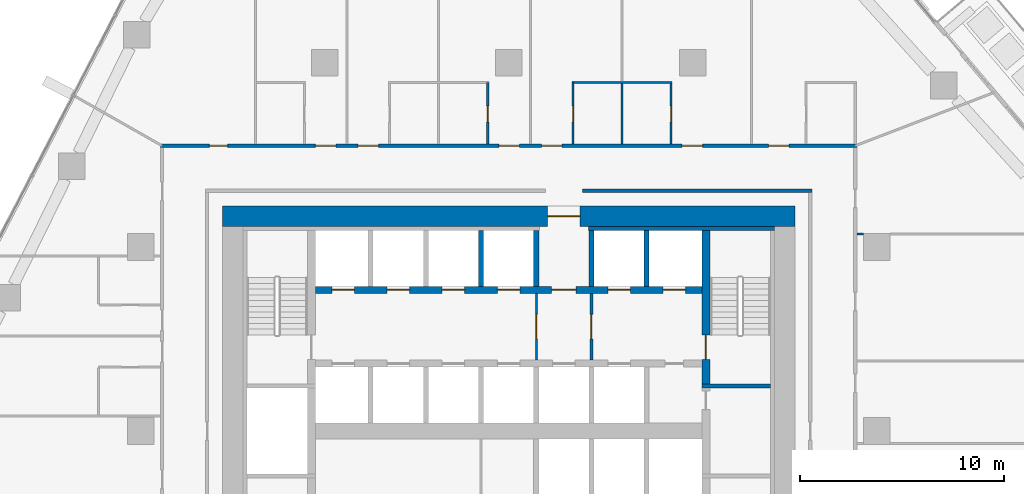
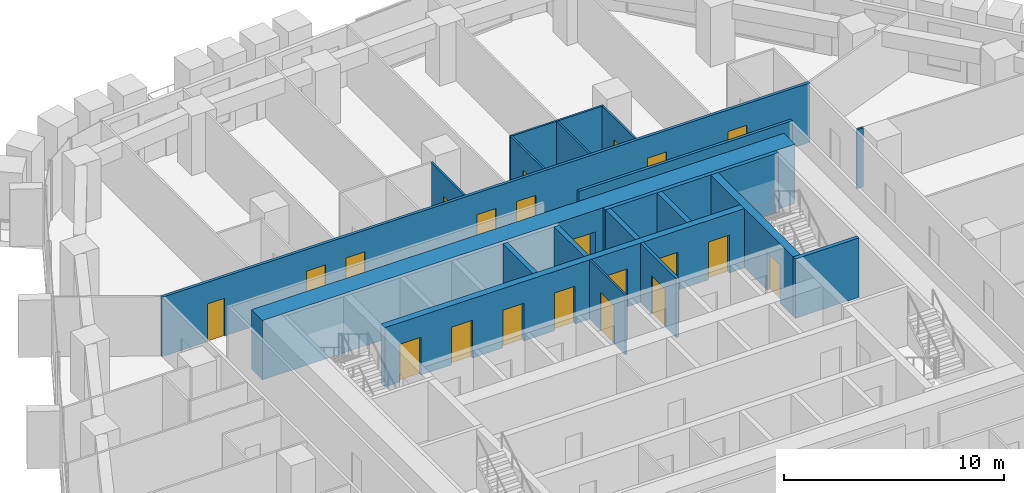
# One storey, part 16 of 24: 21 doors, 19 walls, 21 openings.
"""IFC4 building model written with IfcOpenShell, lengths in metres."""

import ifcopenshell
import ifcopenshell.guid

model = None  # the IFC model being written
_history = None  # IfcOwnerHistory: only IFC2X3 demands one
_inside = {}  # id of a spatial element -> (the spatial element, [elements in it])
_under = {}  # id of a project, library or spatial element -> (it, [spatial elements below it])
_declared = {}  # id of a project -> (the project, [libraries it declares])
_typed = {}  # id of a type object -> (the type object, [elements of that type])
_made_of = {}  # id of a material, layer set ... -> (it, [elements and type objects made of it])


def new_model(schema):
    """Start an empty IFC model of exactly this schema.

    Asked for "IFC4X3", IfcOpenShell would pick the latest addendum, in which some entities
    have other attributes; the version numbers below select the first issue.
    IFC2X3 requires an IfcOwnerHistory on every rooted entity: one is made here for all.
    """
    global model, _history
    if schema == "IFC4X3":
        model = ifcopenshell.file(schema_version=(4, 3, 0, 0))
    else:
        model = ifcopenshell.file(schema=schema)
    _inside.clear()
    _under.clear()
    _declared.clear()
    _typed.clear()
    _made_of.clear()
    _history = None
    if model.schema == "IFC2X3":
        org = make("IfcOrganization", Name="unknown")
        user = make(
            "IfcPersonAndOrganization",
            ThePerson=make("IfcPerson", FamilyName="unknown"),
            TheOrganization=org,
        )
        app = make(
            "IfcApplication",
            ApplicationDeveloper=org,
            Version="unknown",
            ApplicationFullName="unknown",
            ApplicationIdentifier="unknown",
        )
        _history = make(
            "IfcOwnerHistory",
            OwningUser=user,
            OwningApplication=app,
            ChangeAction="ADDED",
            CreationDate=0,
        )
    return model


def make(cls, **values):
    """One entity of the class cls with the attributes given. An attribute that is None is left unset."""
    return model.create_entity(
        cls, **{name: value for name, value in values.items() if value is not None}
    )


def rooted(cls, **values):
    """An entity with a GlobalId (a new one), such as an element, a storey or a relation."""
    return make(cls, GlobalId=ifcopenshell.guid.new(), OwnerHistory=_history, **values)


def si_unit(unit_type, name, prefix=None):
    """IfcSIUnit, for example si_unit("LENGTHUNIT", "METRE", prefix="MILLI")."""
    return make("IfcSIUnit", UnitType=unit_type, Prefix=prefix, Name=name)


def assignment(units):
    """IfcUnitAssignment: the units of a project."""
    return None if units is None else make("IfcUnitAssignment", Units=units)


def point(xyz):
    """IfcCartesianPoint."""
    return None if xyz is None else make("IfcCartesianPoint", Coordinates=xyz)


def direction(xyz):
    """IfcDirection."""
    return None if xyz is None else make("IfcDirection", DirectionRatios=xyz)


def frame(location, z_axis=None, x_axis=None):
    """IfcAxis2Placement3D, a coordinate frame: its origin and axes. An axis left out is left unset."""
    return make(
        "IfcAxis2Placement3D",
        Location=point(location),
        Axis=direction(z_axis),
        RefDirection=direction(x_axis),
    )


def frame_2d(location, x_axis=None):
    """IfcAxis2Placement2D, a coordinate frame in the plane: its origin and x axis."""
    return make(
        "IfcAxis2Placement2D", Location=point(location), RefDirection=direction(x_axis)
    )


def origin():
    """The frame at (0, 0, 0) with its axes left unset."""
    return frame((0.0, 0.0, 0.0))


def place(relative_to, where):
    """IfcLocalPlacement: puts the frame where relative to a parent placement (None: the world)."""
    return make(
        "IfcLocalPlacement", PlacementRelTo=relative_to, RelativePlacement=where
    )


def context(
    kind, dimensions, precision=None, world=None, true_north=None, identifier=None
):
    """IfcGeometricRepresentationContext, for example the 3D "Model" context."""
    return make(
        "IfcGeometricRepresentationContext",
        ContextIdentifier=identifier,
        ContextType=kind,
        CoordinateSpaceDimension=dimensions,
        Precision=precision,
        WorldCoordinateSystem=world,
        TrueNorth=true_north,
    )


def subcontext(parent, identifier, kind, view, scale=None):
    """IfcGeometricRepresentationSubContext, for example "Body" below "Model"."""
    return make(
        "IfcGeometricRepresentationSubContext",
        ContextIdentifier=identifier,
        ContextType=kind,
        ParentContext=parent,
        TargetScale=scale,
        TargetView=view,
    )


def project(units=None, contexts=None):
    """IfcProject with its units and contexts."""
    return rooted(
        "IfcProject",
        Name="project",
        RepresentationContexts=contexts,
        UnitsInContext=assignment(units),
    )


def spatial(cls, under=None, at=None, **own):
    """A site, building, storey or space (cls), placed at a placement, below another one or the project."""
    s = rooted(cls, ObjectPlacement=at, **own)
    if under is not None:
        _under.setdefault(under.id(), (under, []))[1].append(s)
    return s


def profile(cls, at=None, kind="AREA", **sizes):
    """A parametric profile (cls). Its sizes go by their IFC names, for example OverallWidth=200.0."""
    return make(cls, ProfileType=kind, Position=at, **sizes)


def rectangle(**sizes):
    """IfcRectangleProfileDef."""
    return profile("IfcRectangleProfileDef", **sizes)


def extrude(swept, where, along, depth):
    """IfcExtrudedAreaSolid: the profile swept, set in the frame where, extruded along a direction by depth."""
    return make(
        "IfcExtrudedAreaSolid",
        SweptArea=swept,
        Position=where,
        ExtrudedDirection=direction(along),
        Depth=depth,
    )


def shape(context_of_items, identifier, shape_type, items):
    """IfcShapeRepresentation: the items that make up one representation, for example the "Body"."""
    return make(
        "IfcShapeRepresentation",
        ContextOfItems=context_of_items,
        RepresentationIdentifier=identifier,
        RepresentationType=shape_type,
        Items=items,
    )


def material(Name=None, Category=None):
    """IfcMaterial."""
    return make("IfcMaterial", Name=Name, Category=Category)


def layer(
    of_material, thickness, ventilated=None, Name=None, Category=None, Priority=None
):
    """IfcMaterialLayer: one layer of a wall or slab, of a material (None: an air gap)."""
    return make(
        "IfcMaterialLayer",
        Material=of_material,
        LayerThickness=thickness,
        IsVentilated=ventilated,
        Name=Name,
        Category=Category,
        Priority=Priority,
    )


def layer_set(layers, Name=None):
    """IfcMaterialLayerSet."""
    return make("IfcMaterialLayerSet", MaterialLayers=layers, LayerSetName=Name)


def made_of(thing, what):
    """Note that an element or type object is made of a material, layer set ...; save() writes the relation."""
    if what is not None:
        _made_of.setdefault(what.id(), (what, []))[1].append(thing)
    return thing


def type_object(cls, material=None, **own):
    """A type object (cls), such as IfcWallType, which elements share."""
    return made_of(rooted(cls, **own), material)


def element(
    cls,
    number,
    at=None,
    inside=None,
    cuts=None,
    type_object=None,
    material=None,
    context=None,
    identifier="Body",
    shape_type=None,
    held_by="IfcProductDefinitionShape",
    body=None,
    shapes=None,
    **own,
):
    """One element of the class cls, such as IfcWall. Its Tag is "e" and its number.

    at: its placement. inside: the storey or other place that contains it. cuts: it is an
    opening in that element (IfcRelVoidsElement). A single representation is given by context,
    identifier, shape_type and body (its items); several are given by shapes. held_by: the class
    of the entity that holds the representations. save() writes the other relations.
    """
    e = rooted(cls, Tag="e%d" % number, ObjectPlacement=at, **own)
    if body is not None:
        shapes = [shape(context, identifier, shape_type, body)]
    if shapes is not None:
        e.Representation = make(held_by, Representations=shapes)
    if inside is not None:
        _inside.setdefault(inside.id(), (inside, []))[1].append(e)
    if cuts is not None:
        rooted(
            "IfcRelVoidsElement", RelatingBuildingElement=cuts, RelatedOpeningElement=e
        )
    if type_object is not None:
        _typed.setdefault(type_object.id(), (type_object, []))[1].append(e)
    return made_of(e, material)


def fill(opening, filler):
    """IfcRelFillsElement: the door or window that sits in an opening."""
    return rooted(
        "IfcRelFillsElement",
        RelatingOpeningElement=opening,
        RelatedBuildingElement=filler,
    )


def aggregate(whole, parts):
    """IfcRelAggregates: a whole, such as a stair, and the parts it consists of."""
    return rooted("IfcRelAggregates", RelatingObject=whole, RelatedObjects=parts)


def save(model, path):
    """Write the relations noted so far, then the file.

    IfcRelAggregates (storeys below a building ...), IfcRelContainedInSpatialStructure (elements
    in a storey), IfcRelDefinesByType, IfcRelAssociatesMaterial and IfcRelDeclares: one each for
    every whole, place, type object, material and project.
    """
    for whole, parts in _under.values():
        aggregate(whole, parts)
    for where, things in _inside.values():
        rooted(
            "IfcRelContainedInSpatialStructure",
            RelatedElements=things,
            RelatingStructure=where,
        )
    for kind, things in _typed.values():
        rooted("IfcRelDefinesByType", RelatedObjects=things, RelatingType=kind)
    for what, things in _made_of.values():
        rooted("IfcRelAssociatesMaterial", RelatedObjects=things, RelatingMaterial=what)
    for by, libraries in _declared.values():
        rooted("IfcRelDeclares", RelatingContext=by, RelatedDefinitions=libraries)
    model.write(path)


model = new_model("IFC4")

# Units and contexts
model_context = context("Model", 3, precision=1e-05, world=origin(), true_north=direction((0.0, 1.0)))
body_context = subcontext(model_context, "Body", "Model", "MODEL_VIEW")
ifc_project = project(units=[si_unit("LENGTHUNIT", "METRE"), si_unit("AREAUNIT", "SQUARE_METRE"), si_unit("VOLUMEUNIT", "CUBIC_METRE"), si_unit("PLANEANGLEUNIT", "RADIAN"), si_unit("MASSUNIT", "GRAM", prefix="KILO")], contexts=[model_context])

# Site, building, storey
site_placement = place(None, origin())
site = spatial("IfcSite", under=ifc_project, at=site_placement, CompositionType="ELEMENT")
building_placement = place(site_placement, origin())
building = spatial("IfcBuilding", under=site, at=building_placement, Name="Dongbaek Canopy Tower", CompositionType="ELEMENT")
storey_placement = place(building_placement, frame((0.0, 0.0, 106.300048828125)))
storey = spatial("IfcBuildingStorey", under=building, at=storey_placement, Name="L22", CompositionType="ELEMENT", Elevation=106.300048828125)

# Wall, openings, doors
ifc_material_1 = material(Name="Concrete C60/75", Category="concrete")
ifc_layer_1 = layer(ifc_material_1, 0.35009765625)
ifc_layer_set_1 = layer_set([ifc_layer_1], Name="Core lobby wall 350 Concrete C60/75")
wall_type_1 = type_object("IfcWallType", Name="Core lobby wall 350 Concrete C60/75", PredefinedType="SHEAR", material=ifc_layer_set_1)
wall_1_placement = place(storey_placement, frame((-9.449951171875, 6.89990234375, 0.0), z_axis=(0.0, 0.0, 1.0), x_axis=(1.0, 0.0, 0.0)))
wall_1 = element("IfcWall", 1, at=wall_1_placement, inside=storey, type_object=wall_type_1, Name="Core wall", PredefinedType="SHEAR", context=body_context, shape_type="SweptSolid", body=[
    extrude(rectangle(XDim=18.89990234375, YDim=0.35009765625, at=frame_2d((9.449951171875, 0.0))), origin(), (0.0, 0.0, 1.0), 3.300048828125),
])
opening_1_placement = place(wall_1_placement, frame((0.800048828125, 0.0, 0.0)))
opening_1 = element("IfcOpeningElement", 2, at=opening_1_placement, cuts=wall_1, Name="Opening L22-D042", PredefinedType="OPENING", context=body_context, shape_type="SweptSolid", body=[
    extrude(rectangle(XDim=1.10009765625, YDim=2.10009765625, at=frame_2d((0.550048828125, 1.050048828125))), frame((0.0, 0.18505859375, 0.0), z_axis=(0.0, -1.0, 0.0), x_axis=(1.0, 0.0, 0.0)), (0.0, 0.0, 1.0), 0.3701171875),
])
opening_2_placement = place(wall_1_placement, frame((3.5, 0.0, 0.0)))
opening_2 = element("IfcOpeningElement", 3, at=opening_2_placement, cuts=wall_1, Name="Opening L22-D043", PredefinedType="OPENING", context=body_context, shape_type="SweptSolid", body=[
    extrude(rectangle(XDim=1.10009765625, YDim=2.10009765625, at=frame_2d((0.550048828125, 1.050048828125))), frame((0.0, 0.18505859375, 0.0), z_axis=(0.0, -1.0, 0.0), x_axis=(1.0, 0.0, 0.0)), (0.0, 0.0, 1.0), 0.3701171875),
])
opening_3_placement = place(wall_1_placement, frame((6.199951171875, 0.0, 0.0)))
opening_3 = element("IfcOpeningElement", 4, at=opening_3_placement, cuts=wall_1, Name="Opening L22-D044", PredefinedType="OPENING", context=body_context, shape_type="SweptSolid", body=[
    extrude(rectangle(XDim=1.10009765625, YDim=2.10009765625, at=frame_2d((0.550048828125, 1.050048828125))), frame((0.0, 0.18505859375, 0.0), z_axis=(0.0, -1.0, 0.0), x_axis=(1.0, 0.0, 0.0)), (0.0, 0.0, 1.0), 0.3701171875),
])
opening_4_placement = place(wall_1_placement, frame((8.89990234375, 0.0, 0.0)))
opening_4 = element("IfcOpeningElement", 5, at=opening_4_placement, cuts=wall_1, Name="Opening L22-D045", PredefinedType="OPENING", context=body_context, shape_type="SweptSolid", body=[
    extrude(rectangle(XDim=1.10009765625, YDim=2.10009765625, at=frame_2d((0.550048828125, 1.050048828125))), frame((0.0, 0.18505859375, 0.0), z_axis=(0.0, -1.0, 0.0), x_axis=(1.0, 0.0, 0.0)), (0.0, 0.0, 1.0), 0.3701171875),
])
opening_5_placement = place(wall_1_placement, frame((11.550048828125, 0.0, 0.0)))
opening_5 = element("IfcOpeningElement", 6, at=opening_5_placement, cuts=wall_1, Name="Opening L22-D047", PredefinedType="OPENING", context=body_context, shape_type="SweptSolid", body=[
    extrude(rectangle(XDim=1.199951171875, YDim=2.10009765625, at=frame_2d((0.60009765625, 1.050048828125))), frame((0.0, 0.18505859375, 0.0), z_axis=(0.0, -1.0, 0.0), x_axis=(1.0, 0.0, 0.0)), (0.0, 0.0, 1.0), 0.3701171875),
])
opening_6_placement = place(wall_1_placement, frame((14.300048828125, 0.0, 0.0)))
opening_6 = element("IfcOpeningElement", 7, at=opening_6_placement, cuts=wall_1, Name="Opening L22-D048", PredefinedType="OPENING", context=body_context, shape_type="SweptSolid", body=[
    extrude(rectangle(XDim=1.10009765625, YDim=2.10009765625, at=frame_2d((0.550048828125, 1.050048828125))), frame((0.0, 0.18505859375, 0.0), z_axis=(0.0, -1.0, 0.0), x_axis=(1.0, 0.0, 0.0)), (0.0, 0.0, 1.0), 0.3701171875),
])
opening_7_placement = place(wall_1_placement, frame((17.0, 0.0, 0.0)))
opening_7 = element("IfcOpeningElement", 8, at=opening_7_placement, cuts=wall_1, Name="Opening L22-D049", PredefinedType="OPENING", context=body_context, shape_type="SweptSolid", body=[
    extrude(rectangle(XDim=1.10009765625, YDim=2.10009765625, at=frame_2d((0.550048828125, 1.050048828125))), frame((0.0, 0.18505859375, 0.0), z_axis=(0.0, -1.0, 0.0), x_axis=(1.0, 0.0, 0.0)), (0.0, 0.0, 1.0), 0.3701171875),
])
ifc_material_2 = material(Name="Steel", Category="steel")
door_type_1 = type_object("IfcDoorType", Name="Fire lobby door 1200 x 2100", OperationType="SINGLE_SWING_LEFT", PredefinedType="DOOR", material=ifc_material_2)
door_1_placement = place(opening_5_placement, origin())
door_1 = element("IfcDoor", 9, at=door_1_placement, inside=storey, type_object=door_type_1, Name="Door L22-D047", OperationType="SINGLE_SWING_LEFT", OverallHeight=2.10009765625, OverallWidth=1.199951171875, PredefinedType="DOOR", context=body_context, shape_type="SweptSolid", body=[
    extrude(rectangle(XDim=1.199951171875, YDim=2.10009765625, at=frame_2d((0.60009765625, 1.050048828125))), frame((0.0, 0.02490234375, 0.0), z_axis=(0.0, -1.0, 0.0), x_axis=(1.0, 0.0, 0.0)), (0.0, 0.0, 1.0), 0.050048828125),
])
fill(opening_5, door_1)
ifc_material_3 = material(Name="Stainless steel", Category="steel")
door_type_2 = type_object("IfcDoorType", Name="Lift landing door 1100 x 2100", OperationType="DOUBLE_DOOR_SLIDING", PredefinedType="DOOR", material=ifc_material_3)
door_2_placement = place(opening_1_placement, origin())
door_2 = element("IfcDoor", 10, at=door_2_placement, inside=storey, type_object=door_type_2, Name="Landing door LR1", OperationType="DOUBLE_DOOR_SLIDING", OverallHeight=2.10009765625, OverallWidth=1.10009765625, PredefinedType="DOOR", context=body_context, shape_type="SweptSolid", body=[
    extrude(rectangle(XDim=1.10009765625, YDim=2.10009765625, at=frame_2d((0.550048828125, 1.050048828125))), frame((0.0, 0.02490234375, 0.0), z_axis=(0.0, -1.0, 0.0), x_axis=(1.0, 0.0, 0.0)), (0.0, 0.0, 1.0), 0.050048828125),
])
fill(opening_1, door_2)
door_3_placement = place(opening_2_placement, origin())
door_3 = element("IfcDoor", 11, at=door_3_placement, inside=storey, type_object=door_type_2, Name="Landing door LR2", OperationType="DOUBLE_DOOR_SLIDING", OverallHeight=2.10009765625, OverallWidth=1.10009765625, PredefinedType="DOOR", context=body_context, shape_type="SweptSolid", body=[
    extrude(rectangle(XDim=1.10009765625, YDim=2.10009765625, at=frame_2d((0.550048828125, 1.050048828125))), frame((0.0, 0.02490234375, 0.0), z_axis=(0.0, -1.0, 0.0), x_axis=(1.0, 0.0, 0.0)), (0.0, 0.0, 1.0), 0.050048828125),
])
fill(opening_2, door_3)
door_4_placement = place(opening_3_placement, origin())
door_4 = element("IfcDoor", 12, at=door_4_placement, inside=storey, type_object=door_type_2, Name="Landing door LR3", OperationType="DOUBLE_DOOR_SLIDING", OverallHeight=2.10009765625, OverallWidth=1.10009765625, PredefinedType="DOOR", context=body_context, shape_type="SweptSolid", body=[
    extrude(rectangle(XDim=1.10009765625, YDim=2.10009765625, at=frame_2d((0.550048828125, 1.050048828125))), frame((0.0, 0.02490234375, 0.0), z_axis=(0.0, -1.0, 0.0), x_axis=(1.0, 0.0, 0.0)), (0.0, 0.0, 1.0), 0.050048828125),
])
fill(opening_3, door_4)
door_5_placement = place(opening_4_placement, origin())
door_5 = element("IfcDoor", 13, at=door_5_placement, inside=storey, type_object=door_type_2, Name="Landing door LR4", OperationType="DOUBLE_DOOR_SLIDING", OverallHeight=2.10009765625, OverallWidth=1.10009765625, PredefinedType="DOOR", context=body_context, shape_type="SweptSolid", body=[
    extrude(rectangle(XDim=1.10009765625, YDim=2.10009765625, at=frame_2d((0.550048828125, 1.050048828125))), frame((0.0, 0.02490234375, 0.0), z_axis=(0.0, -1.0, 0.0), x_axis=(1.0, 0.0, 0.0)), (0.0, 0.0, 1.0), 0.050048828125),
])
fill(opening_4, door_5)
door_6_placement = place(opening_6_placement, origin())
door_6 = element("IfcDoor", 14, at=door_6_placement, inside=storey, type_object=door_type_2, Name="Landing door FF1", OperationType="DOUBLE_DOOR_SLIDING", OverallHeight=2.10009765625, OverallWidth=1.10009765625, PredefinedType="DOOR", context=body_context, shape_type="SweptSolid", body=[
    extrude(rectangle(XDim=1.10009765625, YDim=2.10009765625, at=frame_2d((0.550048828125, 1.050048828125))), frame((0.0, 0.02490234375, 0.0), z_axis=(0.0, -1.0, 0.0), x_axis=(1.0, 0.0, 0.0)), (0.0, 0.0, 1.0), 0.050048828125),
])
fill(opening_6, door_6)
door_7_placement = place(opening_7_placement, origin())
door_7 = element("IfcDoor", 15, at=door_7_placement, inside=storey, type_object=door_type_2, Name="Landing door FF2", OperationType="DOUBLE_DOOR_SLIDING", OverallHeight=2.10009765625, OverallWidth=1.10009765625, PredefinedType="DOOR", context=body_context, shape_type="SweptSolid", body=[
    extrude(rectangle(XDim=1.10009765625, YDim=2.10009765625, at=frame_2d((0.550048828125, 1.050048828125))), frame((0.0, 0.02490234375, 0.0), z_axis=(0.0, -1.0, 0.0), x_axis=(1.0, 0.0, 0.0)), (0.0, 0.0, 1.0), 0.050048828125),
])
fill(opening_7, door_7)

# Wall, opening, door
ifc_material_4 = material(Name="Concrete C60/75", Category="concrete")
ifc_layer_2 = layer(ifc_material_4, 1.0)
ifc_layer_set_2 = layer_set([ifc_layer_2], Name="Core outer wall 1000 Concrete C60/75")
wall_type_2 = type_object("IfcWallType", Name="Core outer wall 1000 Concrete C60/75", PredefinedType="SHEAR", material=ifc_layer_set_2)
wall_2_placement = place(storey_placement, frame((-14.0, 10.5, 0.0), z_axis=(0.0, 0.0, 1.0), x_axis=(1.0, 0.0, 0.0)))
wall_2 = element("IfcWall", 16, at=wall_2_placement, inside=storey, type_object=wall_type_2, Name="Core wall", PredefinedType="SHEAR", context=body_context, shape_type="SweptSolid", body=[
    extrude(rectangle(XDim=28.0, YDim=1.0, at=frame_2d((14.0, 0.0))), origin(), (0.0, 0.0, 1.0), 3.300048828125),
])
opening_8_placement = place(wall_2_placement, frame((15.89990234375, 0.0, 0.0)))
opening_8 = element("IfcOpeningElement", 17, at=opening_8_placement, cuts=wall_2, Name="Opening L22-D046", PredefinedType="OPENING", context=body_context, shape_type="SweptSolid", body=[
    extrude(rectangle(XDim=1.60009765625, YDim=2.10009765625, at=frame_2d((0.800048828125, 1.050048828125))), frame((0.0, 0.510009765625, 0.0), z_axis=(0.0, -1.0, 0.0), x_axis=(1.0, 0.0, 0.0)), (0.0, 0.0, 1.0), 1.02001953125),
])
ifc_material_5 = material(Name="Steel", Category="steel")
door_type_3 = type_object("IfcDoorType", Name="Core exit door 1600 x 2100", OperationType="DOUBLE_DOOR_SINGLE_SWING", PredefinedType="DOOR", material=ifc_material_5)
door_8_placement = place(opening_8_placement, origin())
door_8 = element("IfcDoor", 18, at=door_8_placement, inside=storey, type_object=door_type_3, Name="Core exit door", OperationType="DOUBLE_DOOR_SINGLE_SWING", OverallHeight=2.10009765625, OverallWidth=1.60009765625, PredefinedType="DOOR", context=body_context, shape_type="SweptSolid", body=[
    extrude(rectangle(XDim=1.60009765625, YDim=2.10009765625, at=frame_2d((0.800048828125, 1.050048828125))), frame((0.0, 0.02490234375, 0.0), z_axis=(0.0, -1.0, 0.0), x_axis=(1.0, 0.0, 0.0)), (0.0, 0.0, 1.0), 0.050048828125),
])
fill(opening_8, door_8)

# Walls
ifc_material_6 = material(Name="Concrete C60/75", Category="concrete")
ifc_layer_3 = layer(ifc_material_6, 0.199951171875)
ifc_layer_set_3 = layer_set([ifc_layer_3], Name="Core wall lining 200 Concrete C60/75")
wall_type_3 = type_object("IfcWallType", Name="Core wall lining 200 Concrete C60/75", PredefinedType="SHEAR", material=ifc_layer_set_3)
wall_3_placement = place(storey_placement, frame((3.89990234375, 9.89990234375, 0.0), z_axis=(0.0, 0.0, 1.0), x_axis=(1.0, 0.0, 0.0)))
element("IfcWall", 19, at=wall_3_placement, inside=storey, type_object=wall_type_3, Name="Core wall lining", PredefinedType="SHEAR", context=body_context, shape_type="SweptSolid", body=[
    extrude(rectangle(XDim=9.10009765625, YDim=0.199951171875, at=frame_2d((4.550048828125, 0.0))), origin(), (0.0, 0.0, 1.0), 3.300048828125),
])
ifc_material_7 = material(Name="Gypsum board partition, steel stud, 2 x 15 mm fire board", Category="steel")
ifc_layer_4 = layer(ifc_material_7, 0.14990234375)
ifc_layer_set_4 = layer_set([ifc_layer_4], Name="Fire-rated partition 150 gypsum board")
wall_type_4 = type_object("IfcWallType", Name="Fire-rated partition 150 gypsum board", PredefinedType="PARTITIONING", material=ifc_layer_set_4)
wall_4_placement = place(storey_placement, frame((3.60009765625, 11.75, 0.0), z_axis=(0.0, 0.0, 1.0), x_axis=(1.0, 0.0, 0.0)))
element("IfcWall", 20, at=wall_4_placement, inside=storey, type_object=wall_type_4, Name="Corridor partition", PredefinedType="PARTITIONING", context=body_context, shape_type="SweptSolid", body=[
    extrude(rectangle(XDim=11.224853515625, YDim=0.14990234375, at=frame_2d((5.6123046875, 0.0))), origin(), (0.0, 0.0, 1.0), 3.300048828125),
])

# Wall, openings, doors
wall_5_placement = place(storey_placement, frame((-17.02490234375, 13.949951171875, 0.0), z_axis=(0.0, 0.0, 1.0), x_axis=(1.0, 0.0, 0.0)))
wall_5 = element("IfcWall", 21, at=wall_5_placement, inside=storey, type_object=wall_type_4, Name="Corridor partition", PredefinedType="PARTITIONING", context=body_context, shape_type="SweptSolid", body=[
    extrude(rectangle(XDim=34.0498046875, YDim=0.14990234375, at=frame_2d((17.02490234375, 0.0))), origin(), (0.0, 0.0, 1.0), 3.300048828125),
])
opening_9_placement = place(wall_5_placement, frame((29.73486328125, 0.0, 0.0)))
opening_9 = element("IfcOpeningElement", 22, at=opening_9_placement, cuts=wall_5, Name="Opening L22-D022", PredefinedType="OPENING", context=body_context, shape_type="SweptSolid", body=[
    extrude(rectangle(XDim=1.0, YDim=2.10009765625, at=frame_2d((0.5, 1.050048828125))), frame((0.0, 0.0849609375, 0.0), z_axis=(0.0, -1.0, 0.0), x_axis=(1.0, 0.0, 0.0)), (0.0, 0.0, 1.0), 0.169921875),
])
opening_10_placement = place(wall_5_placement, frame((25.51318359375, 0.0, 0.0)))
opening_10 = element("IfcOpeningElement", 23, at=opening_10_placement, cuts=wall_5, Name="Opening L22-D024", PredefinedType="OPENING", context=body_context, shape_type="SweptSolid", body=[
    extrude(rectangle(XDim=1.0, YDim=2.10009765625, at=frame_2d((0.5, 1.050048828125))), frame((0.0, 0.0849609375, 0.0), z_axis=(0.0, -1.0, 0.0), x_axis=(1.0, 0.0, 0.0)), (0.0, 0.0, 1.0), 0.169921875),
])
opening_11_placement = place(wall_5_placement, frame((18.631103515625, 0.0, 0.0)))
opening_11 = element("IfcOpeningElement", 24, at=opening_11_placement, cuts=wall_5, Name="Opening L22-D026", PredefinedType="OPENING", context=body_context, shape_type="SweptSolid", body=[
    extrude(rectangle(XDim=1.0, YDim=2.10009765625, at=frame_2d((0.5, 1.050048828125))), frame((0.0, 0.0849609375, 0.0), z_axis=(0.0, -1.0, 0.0), x_axis=(1.0, 0.0, 0.0)), (0.0, 0.0, 1.0), 0.169921875),
])
opening_12_placement = place(wall_5_placement, frame((16.544921875, 0.0, 0.0)))
opening_12 = element("IfcOpeningElement", 25, at=opening_12_placement, cuts=wall_5, Name="Opening L22-D028", PredefinedType="OPENING", context=body_context, shape_type="SweptSolid", body=[
    extrude(rectangle(XDim=1.0, YDim=2.10009765625, at=frame_2d((0.5, 1.050048828125))), frame((0.0, 0.0849609375, 0.0), z_axis=(0.0, -1.0, 0.0), x_axis=(1.0, 0.0, 0.0)), (0.0, 0.0, 1.0), 0.169921875),
])
opening_13_placement = place(wall_5_placement, frame((9.65869140625, 0.0, 0.0)))
opening_13 = element("IfcOpeningElement", 26, at=opening_13_placement, cuts=wall_5, Name="Opening L22-D030", PredefinedType="OPENING", context=body_context, shape_type="SweptSolid", body=[
    extrude(rectangle(XDim=1.0, YDim=2.10009765625, at=frame_2d((0.5, 1.050048828125))), frame((0.0, 0.0849609375, 0.0), z_axis=(0.0, -1.0, 0.0), x_axis=(1.0, 0.0, 0.0)), (0.0, 0.0, 1.0), 0.169921875),
])
opening_14_placement = place(wall_5_placement, frame((7.576904296875, 0.0, 0.0)))
opening_14 = element("IfcOpeningElement", 27, at=opening_14_placement, cuts=wall_5, Name="Opening L22-D032", PredefinedType="OPENING", context=body_context, shape_type="SweptSolid", body=[
    extrude(rectangle(XDim=1.0, YDim=2.10009765625, at=frame_2d((0.5, 1.050048828125))), frame((0.0, 0.0849609375, 0.0), z_axis=(0.0, -1.0, 0.0), x_axis=(1.0, 0.0, 0.0)), (0.0, 0.0, 1.0), 0.169921875),
])
opening_15_placement = place(wall_5_placement, frame((2.38134765625, 0.0, 0.0)))
opening_15 = element("IfcOpeningElement", 28, at=opening_15_placement, cuts=wall_5, Name="Opening L22-D033", PredefinedType="OPENING", context=body_context, shape_type="SweptSolid", body=[
    extrude(rectangle(XDim=0.89990234375, YDim=2.10009765625, at=frame_2d((0.449951171875, 1.050048828125))), frame((0.0, 0.0849609375, 0.0), z_axis=(0.0, -1.0, 0.0), x_axis=(1.0, 0.0, 0.0)), (0.0, 0.0, 1.0), 0.169921875),
])
ifc_material_8 = material(Name="Timber veneered door leaf", Category="wood")
door_type_4 = type_object("IfcDoorType", Name="Guest room door 1000 x 2100", OperationType="SINGLE_SWING_LEFT", PredefinedType="DOOR", material=ifc_material_8)
door_9_placement = place(opening_9_placement, origin())
door_9 = element("IfcDoor", 29, at=door_9_placement, inside=storey, type_object=door_type_4, Name="Door L22-D022", OperationType="SINGLE_SWING_RIGHT", OverallHeight=2.10009765625, OverallWidth=1.0, PredefinedType="DOOR", context=body_context, shape_type="SweptSolid", body=[
    extrude(rectangle(XDim=1.0, YDim=2.10009765625, at=frame_2d((0.5, 1.050048828125))), frame((0.0, 0.02490234375, 0.0), z_axis=(0.0, -1.0, 0.0), x_axis=(1.0, 0.0, 0.0)), (0.0, 0.0, 1.0), 0.050048828125),
])
fill(opening_9, door_9)
door_10_placement = place(opening_10_placement, origin())
door_10 = element("IfcDoor", 30, at=door_10_placement, inside=storey, type_object=door_type_4, Name="Door L22-D024", OperationType="SINGLE_SWING_LEFT", OverallHeight=2.10009765625, OverallWidth=1.0, PredefinedType="DOOR", context=body_context, shape_type="SweptSolid", body=[
    extrude(rectangle(XDim=1.0, YDim=2.10009765625, at=frame_2d((0.5, 1.050048828125))), frame((0.0, 0.02490234375, 0.0), z_axis=(0.0, -1.0, 0.0), x_axis=(1.0, 0.0, 0.0)), (0.0, 0.0, 1.0), 0.050048828125),
])
fill(opening_10, door_10)
door_11_placement = place(opening_11_placement, origin())
door_11 = element("IfcDoor", 31, at=door_11_placement, inside=storey, type_object=door_type_4, Name="Door L22-D026", OperationType="SINGLE_SWING_RIGHT", OverallHeight=2.10009765625, OverallWidth=1.0, PredefinedType="DOOR", context=body_context, shape_type="SweptSolid", body=[
    extrude(rectangle(XDim=1.0, YDim=2.10009765625, at=frame_2d((0.5, 1.050048828125))), frame((0.0, 0.02490234375, 0.0), z_axis=(0.0, -1.0, 0.0), x_axis=(1.0, 0.0, 0.0)), (0.0, 0.0, 1.0), 0.050048828125),
])
fill(opening_11, door_11)
door_12_placement = place(opening_12_placement, origin())
door_12 = element("IfcDoor", 32, at=door_12_placement, inside=storey, type_object=door_type_4, Name="Door L22-D028", OperationType="SINGLE_SWING_LEFT", OverallHeight=2.10009765625, OverallWidth=1.0, PredefinedType="DOOR", context=body_context, shape_type="SweptSolid", body=[
    extrude(rectangle(XDim=1.0, YDim=2.10009765625, at=frame_2d((0.5, 1.050048828125))), frame((0.0, 0.02490234375, 0.0), z_axis=(0.0, -1.0, 0.0), x_axis=(1.0, 0.0, 0.0)), (0.0, 0.0, 1.0), 0.050048828125),
])
fill(opening_12, door_12)
door_13_placement = place(opening_13_placement, origin())
door_13 = element("IfcDoor", 33, at=door_13_placement, inside=storey, type_object=door_type_4, Name="Door L22-D030", OperationType="SINGLE_SWING_RIGHT", OverallHeight=2.10009765625, OverallWidth=1.0, PredefinedType="DOOR", context=body_context, shape_type="SweptSolid", body=[
    extrude(rectangle(XDim=1.0, YDim=2.10009765625, at=frame_2d((0.5, 1.050048828125))), frame((0.0, 0.02490234375, 0.0), z_axis=(0.0, -1.0, 0.0), x_axis=(1.0, 0.0, 0.0)), (0.0, 0.0, 1.0), 0.050048828125),
])
fill(opening_13, door_13)
door_14_placement = place(opening_14_placement, origin())
door_14 = element("IfcDoor", 34, at=door_14_placement, inside=storey, type_object=door_type_4, Name="Door L22-D032", OperationType="SINGLE_SWING_LEFT", OverallHeight=2.10009765625, OverallWidth=1.0, PredefinedType="DOOR", context=body_context, shape_type="SweptSolid", body=[
    extrude(rectangle(XDim=1.0, YDim=2.10009765625, at=frame_2d((0.5, 1.050048828125))), frame((0.0, 0.02490234375, 0.0), z_axis=(0.0, -1.0, 0.0), x_axis=(1.0, 0.0, 0.0)), (0.0, 0.0, 1.0), 0.050048828125),
])
fill(opening_14, door_14)
ifc_material_9 = material(Name="Timber veneered door leaf", Category="wood")
door_type_5 = type_object("IfcDoorType", Name="Room door 900 x 2100", OperationType="SINGLE_SWING_LEFT", PredefinedType="DOOR", material=ifc_material_9)
door_15_placement = place(opening_15_placement, origin())
door_15 = element("IfcDoor", 35, at=door_15_placement, inside=storey, type_object=door_type_5, Name="Door L22-D033", OperationType="SINGLE_SWING_RIGHT", OverallHeight=2.10009765625, OverallWidth=0.89990234375, PredefinedType="DOOR", context=body_context, shape_type="SweptSolid", body=[
    extrude(rectangle(XDim=0.89990234375, YDim=2.10009765625, at=frame_2d((0.449951171875, 1.050048828125))), frame((0.0, 0.02490234375, 0.0), z_axis=(0.0, -1.0, 0.0), x_axis=(1.0, 0.0, 0.0)), (0.0, 0.0, 1.0), 0.050048828125),
])
fill(opening_15, door_15)

# Wall, opening, door
wall_6_placement = place(storey_placement, frame((4.050048828125, 6.72509765625, 0.0), z_axis=(0.0, 0.0, 1.0), x_axis=(0.0, -1.0, 0.0)))
wall_6 = element("IfcWall", 36, at=wall_6_placement, inside=storey, type_object=wall_type_4, Name="Fire lobby partition", PredefinedType="PARTITIONING", context=body_context, shape_type="SweptSolid", body=[
    extrude(rectangle(XDim=3.25, YDim=0.14990234375, at=frame_2d((1.625, 0.0))), origin(), (0.0, 0.0, 1.0), 3.300048828125),
])
opening_16_placement = place(wall_6_placement, frame((1.02490234375, 0.0, 0.0)))
opening_16 = element("IfcOpeningElement", 37, at=opening_16_placement, cuts=wall_6, Name="Opening L22-D070", PredefinedType="OPENING", context=body_context, shape_type="SweptSolid", body=[
    extrude(rectangle(XDim=1.199951171875, YDim=2.10009765625, at=frame_2d((0.60009765625, 1.050048828125))), frame((0.0, 0.0849609375, 0.0), z_axis=(0.0, -1.0, 0.0), x_axis=(1.0, 0.0, 0.0)), (0.0, 0.0, 1.0), 0.169921875),
])
door_16_placement = place(opening_16_placement, origin())
door_16 = element("IfcDoor", 38, at=door_16_placement, inside=storey, type_object=door_type_1, Name="Door L22-D070", OperationType="SINGLE_SWING_RIGHT", OverallHeight=2.10009765625, OverallWidth=1.199951171875, PredefinedType="DOOR", context=body_context, shape_type="SweptSolid", body=[
    extrude(rectangle(XDim=1.199951171875, YDim=2.10009765625, at=frame_2d((0.60009765625, 1.050048828125))), frame((0.0, 0.02490234375, 0.0), z_axis=(0.0, -1.0, 0.0), x_axis=(1.0, 0.0, 0.0)), (0.0, 0.0, 1.0), 0.050048828125),
])
fill(opening_16, door_16)

# Walls
ifc_material_10 = material(Name="Concrete C40/50", Category="concrete")
ifc_layer_5 = layer(ifc_material_10, 0.25)
ifc_layer_set_5 = layer_set([ifc_layer_5], Name="Lift shaft wall 250 Concrete C40/50")
wall_type_5 = type_object("IfcWallType", Name="Lift shaft wall 250 Concrete C40/50", PredefinedType="SOLIDWALL", material=ifc_layer_set_5)
for number, where, z_axis, x_axis, name in (
    (39, (6.75, 7.074951171875, 0.0), (0.0, 0.0, 1.0), (0.0, 1.0, 0.0), "Lift shaft wall"),
    (40, (4.050048828125, 7.074951171875, 0.0), (0.0, 0.0, 1.0), (0.0, 1.0, 0.0), "Lift shaft wall"),
    (41, (1.35009765625, 7.074951171875, 0.0), (0.0, 0.0, 1.0), (0.0, 1.0, 0.0), "Lift shaft wall"),
    (42, (-1.35009765625, 7.074951171875, 0.0), (0.0, 0.0, 1.0), (0.0, 1.0, 0.0), "Lift shaft wall"),
):
    element("IfcWall", number, at=place(storey_placement, frame(where, z_axis=z_axis, x_axis=x_axis)), inside=storey, type_object=wall_type_5, Name=name, PredefinedType="SOLIDWALL", context=body_context, shape_type="SweptSolid", body=[
        extrude(rectangle(XDim=2.72509765625, YDim=0.25, at=frame_2d((1.362548828125, 0.0))), origin(), (0.0, 0.0, 1.0), 3.300048828125),
    ])
ifc_material_11 = material(Name="Gypsum board partition, steel stud, 2 x 12.5 mm board", Category="steel")
ifc_layer_6 = layer(ifc_material_11, 0.10009765625)
ifc_layer_set_6 = layer_set([ifc_layer_6], Name="Partition 100 gypsum board")
wall_type_6 = type_object("IfcWallType", Name="Partition 100 gypsum board", PredefinedType="PARTITIONING", material=ifc_layer_set_6)
wall_7_placement = place(storey_placement, frame((17.02490234375, 9.635986328125, 0.0), z_axis=(0.0, 0.0, 1.0), x_axis=(1.0, 0.0, 0.0)))
element("IfcWall", 43, at=wall_7_placement, inside=storey, type_object=wall_type_6, Name="Partition", PredefinedType="PARTITIONING", context=body_context, shape_type="SweptSolid", body=[
    extrude(rectangle(XDim=0.3251953125, YDim=0.10009765625, at=frame_2d((0.16259765625, 0.0))), origin(), (0.0, 0.0, 1.0), 3.300048828125),
])
wall_8_placement = place(storey_placement, frame((3.09912109375, 17.050048828125, 0.0), z_axis=(0.0, 0.0, 1.0), x_axis=(1.0, 0.0, 0.0)))
element("IfcWall", 44, at=wall_8_placement, inside=storey, type_object=wall_type_6, Name="Partition", PredefinedType="PARTITIONING", context=body_context, shape_type="SweptSolid", body=[
    extrude(rectangle(XDim=4.89990234375, YDim=0.10009765625, at=frame_2d((2.449951171875, 0.0))), origin(), (0.0, 0.0, 1.0), 3.300048828125),
])

# Wall, opening, door
wall_9_placement = place(storey_placement, frame((7.948974609375, 14.02490234375, 0.0), z_axis=(0.0, 0.0, 1.0), x_axis=(0.0, 1.0, 0.0)))
wall_9 = element("IfcWall", 45, at=wall_9_placement, inside=storey, type_object=wall_type_6, Name="Partition", PredefinedType="PARTITIONING", context=body_context, shape_type="SweptSolid", body=[
    extrude(rectangle(XDim=2.97509765625, YDim=0.10009765625, at=frame_2d((1.487548828125, 0.0))), origin(), (0.0, 0.0, 1.0), 3.300048828125),
])
opening_17_placement = place(wall_9_placement, frame((1.074951171875, 0.0, 0.0)))
opening_17 = element("IfcOpeningElement", 46, at=opening_17_placement, cuts=wall_9, Name="Opening L22-D023", PredefinedType="OPENING", context=body_context, shape_type="SweptSolid", body=[
    extrude(rectangle(XDim=0.800048828125, YDim=2.10009765625, at=frame_2d((0.39990234375, 1.050048828125))), frame((0.0, 0.06005859375, 0.0), z_axis=(0.0, -1.0, 0.0), x_axis=(1.0, 0.0, 0.0)), (0.0, 0.0, 1.0), 0.1201171875),
])
ifc_material_12 = material(Name="Timber veneered door leaf", Category="wood")
door_type_6 = type_object("IfcDoorType", Name="En-suite door 800 x 2100", OperationType="SINGLE_SWING_LEFT", PredefinedType="DOOR", material=ifc_material_12)
door_17_placement = place(opening_17_placement, origin())
door_17 = element("IfcDoor", 47, at=door_17_placement, inside=storey, type_object=door_type_6, Name="Door L22-D023", OperationType="SINGLE_SWING_RIGHT", OverallHeight=2.10009765625, OverallWidth=0.800048828125, PredefinedType="DOOR", context=body_context, shape_type="SweptSolid", body=[
    extrude(rectangle(XDim=0.800048828125, YDim=2.10009765625, at=frame_2d((0.39990234375, 1.050048828125))), frame((0.0, 0.02490234375, 0.0), z_axis=(0.0, -1.0, 0.0), x_axis=(1.0, 0.0, 0.0)), (0.0, 0.0, 1.0), 0.050048828125),
])
fill(opening_17, door_17)

# Wall
wall_10_placement = place(storey_placement, frame((5.549072265625, 14.02490234375, 0.0), z_axis=(0.0, 0.0, 1.0), x_axis=(0.0, 1.0, 0.0)))
element("IfcWall", 48, at=wall_10_placement, inside=storey, type_object=wall_type_6, Name="Partition", PredefinedType="PARTITIONING", context=body_context, shape_type="SweptSolid", body=[
    extrude(rectangle(XDim=2.97509765625, YDim=0.10009765625, at=frame_2d((1.487548828125, 0.0))), origin(), (0.0, 0.0, 1.0), 3.300048828125),
])

# Wall, opening, door
wall_11_placement = place(storey_placement, frame((3.14892578125, 17.050048828125, 0.0), z_axis=(0.0, 0.0, 1.0), x_axis=(0.0, -1.0, 0.0)))
wall_11 = element("IfcWall", 49, at=wall_11_placement, inside=storey, type_object=wall_type_6, Name="Partition", PredefinedType="PARTITIONING", context=body_context, shape_type="SweptSolid", body=[
    extrude(rectangle(XDim=3.025146484375, YDim=0.10009765625, at=frame_2d((1.5126953125, 0.0))), origin(), (0.0, 0.0, 1.0), 3.300048828125),
])
opening_18_placement = place(wall_11_placement, frame((1.14990234375, 0.0, 0.0)))
opening_18 = element("IfcOpeningElement", 50, at=opening_18_placement, cuts=wall_11, Name="Opening L22-D025", PredefinedType="OPENING", context=body_context, shape_type="SweptSolid", body=[
    extrude(rectangle(XDim=0.800048828125, YDim=2.10009765625, at=frame_2d((0.39990234375, 1.050048828125))), frame((0.0, 0.06005859375, 0.0), z_axis=(0.0, -1.0, 0.0), x_axis=(1.0, 0.0, 0.0)), (0.0, 0.0, 1.0), 0.1201171875),
])
door_18_placement = place(opening_18_placement, origin())
door_18 = element("IfcDoor", 51, at=door_18_placement, inside=storey, type_object=door_type_6, Name="Door L22-D025", OperationType="SINGLE_SWING_LEFT", OverallHeight=2.10009765625, OverallWidth=0.800048828125, PredefinedType="DOOR", context=body_context, shape_type="SweptSolid", body=[
    extrude(rectangle(XDim=0.800048828125, YDim=2.10009765625, at=frame_2d((0.39990234375, 1.050048828125))), frame((0.0, 0.02490234375, 0.0), z_axis=(0.0, -1.0, 0.0), x_axis=(1.0, 0.0, 0.0)), (0.0, 0.0, 1.0), 0.050048828125),
])
fill(opening_18, door_18)

wall_12_placement = place(storey_placement, frame((-1.02294921875, 14.02490234375, 0.0), z_axis=(0.0, 0.0, 1.0), x_axis=(0.0, 1.0, 0.0)))
wall_12 = element("IfcWall", 52, at=wall_12_placement, inside=storey, type_object=wall_type_6, Name="Partition", PredefinedType="PARTITIONING", context=body_context, shape_type="SweptSolid", body=[
    extrude(rectangle(XDim=3.025146484375, YDim=0.10009765625, at=frame_2d((1.5126953125, 0.0))), origin(), (0.0, 0.0, 1.0), 3.300048828125),
])
opening_19_placement = place(wall_12_placement, frame((1.074951171875, 0.0, 0.0)))
opening_19 = element("IfcOpeningElement", 53, at=opening_19_placement, cuts=wall_12, Name="Opening L22-D027", PredefinedType="OPENING", context=body_context, shape_type="SweptSolid", body=[
    extrude(rectangle(XDim=0.800048828125, YDim=2.10009765625, at=frame_2d((0.39990234375, 1.050048828125))), frame((0.0, 0.06005859375, 0.0), z_axis=(0.0, -1.0, 0.0), x_axis=(1.0, 0.0, 0.0)), (0.0, 0.0, 1.0), 0.1201171875),
])
door_19_placement = place(opening_19_placement, origin())
door_19 = element("IfcDoor", 54, at=door_19_placement, inside=storey, type_object=door_type_6, Name="Door L22-D027", OperationType="SINGLE_SWING_RIGHT", OverallHeight=2.10009765625, OverallWidth=0.800048828125, PredefinedType="DOOR", context=body_context, shape_type="SweptSolid", body=[
    extrude(rectangle(XDim=0.800048828125, YDim=2.10009765625, at=frame_2d((0.39990234375, 1.050048828125))), frame((0.0, 0.02490234375, 0.0), z_axis=(0.0, -1.0, 0.0), x_axis=(1.0, 0.0, 0.0)), (0.0, 0.0, 1.0), 0.050048828125),
])
fill(opening_19, door_19)

wall_13_placement = place(storey_placement, frame((1.35009765625, 6.72509765625, 0.0), z_axis=(0.0, 0.0, 1.0), x_axis=(0.0, -1.0, 0.0)))
wall_13 = element("IfcWall", 55, at=wall_13_placement, inside=storey, type_object=wall_type_6, Name="Core partition", PredefinedType="PARTITIONING", context=body_context, shape_type="SweptSolid", body=[
    extrude(rectangle(XDim=3.25, YDim=0.10009765625, at=frame_2d((1.625, 0.0))), origin(), (0.0, 0.0, 1.0), 3.300048828125),
])
opening_20_placement = place(wall_13_placement, frame((1.02490234375, 0.0, 0.0)))
opening_20 = element("IfcOpeningElement", 56, at=opening_20_placement, cuts=wall_13, Name="Opening L22-D069", PredefinedType="OPENING", context=body_context, shape_type="SweptSolid", body=[
    extrude(rectangle(XDim=1.199951171875, YDim=2.10009765625, at=frame_2d((0.60009765625, 1.050048828125))), frame((0.0, 0.06005859375, 0.0), z_axis=(0.0, -1.0, 0.0), x_axis=(1.0, 0.0, 0.0)), (0.0, 0.0, 1.0), 0.1201171875),
])
door_20_placement = place(opening_20_placement, origin())
door_20 = element("IfcDoor", 57, at=door_20_placement, inside=storey, type_object=door_type_1, Name="Door L22-D069", OperationType="SINGLE_SWING_LEFT", OverallHeight=2.10009765625, OverallWidth=1.199951171875, PredefinedType="DOOR", context=body_context, shape_type="SweptSolid", body=[
    extrude(rectangle(XDim=1.199951171875, YDim=2.10009765625, at=frame_2d((0.60009765625, 1.050048828125))), frame((0.0, 0.02490234375, 0.0), z_axis=(0.0, -1.0, 0.0), x_axis=(1.0, 0.0, 0.0)), (0.0, 0.0, 1.0), 0.050048828125),
])
fill(opening_20, door_20)

# Wall
ifc_material_13 = material(Name="Concrete C60/75", Category="concrete")
ifc_layer_7 = layer(ifc_material_13, 0.199951171875)
ifc_layer_set_7 = layer_set([ifc_layer_7], Name="Riser wall 200 Concrete C60/75")
wall_type_7 = type_object("IfcWallType", Name="Riser wall 200 Concrete C60/75", PredefinedType="SHEAR", material=ifc_layer_set_7)
wall_14_placement = place(storey_placement, frame((9.449951171875, 2.199951171875, 0.0), z_axis=(0.0, 0.0, 1.0), x_axis=(1.0, 0.0, 0.0)))
element("IfcWall", 58, at=wall_14_placement, inside=storey, type_object=wall_type_7, Name="Riser wall", PredefinedType="SHEAR", context=body_context, shape_type="SweptSolid", body=[
    extrude(rectangle(XDim=3.35009765625, YDim=0.199951171875, at=frame_2d((1.675048828125, 0.0))), origin(), (0.0, 0.0, 1.0), 3.300048828125),
])

# Wall, opening, door
ifc_material_14 = material(Name="Concrete C60/75", Category="concrete")
ifc_layer_8 = layer(ifc_material_14, 0.39990234375)
ifc_layer_set_8 = layer_set([ifc_layer_8], Name="Stair wall 400 Concrete C60/75")
wall_type_8 = type_object("IfcWallType", Name="Stair wall 400 Concrete C60/75", PredefinedType="SHEAR", material=ifc_layer_set_8)
wall_15_placement = place(storey_placement, frame((9.64990234375, 9.800048828125, 0.0), z_axis=(0.0, 0.0, 1.0), x_axis=(0.0, -1.0, 0.0)))
wall_15 = element("IfcWall", 59, at=wall_15_placement, inside=storey, type_object=wall_type_8, Name="Stair wall", PredefinedType="SHEAR", context=body_context, shape_type="SweptSolid", body=[
    extrude(rectangle(XDim=7.5, YDim=0.39990234375, at=frame_2d((3.75, 0.0))), origin(), (0.0, 0.0, 1.0), 3.300048828125),
])
opening_21_placement = place(wall_15_placement, frame((5.10009765625, 0.0, 0.0)))
opening_21 = element("IfcOpeningElement", 60, at=opening_21_placement, cuts=wall_15, Name="Opening L22-D065", PredefinedType="OPENING", context=body_context, shape_type="SweptSolid", body=[
    extrude(rectangle(XDim=1.199951171875, YDim=2.10009765625, at=frame_2d((0.60009765625, 1.050048828125))), frame((0.0, 0.2099609375, 0.0), z_axis=(0.0, -1.0, 0.0), x_axis=(1.0, 0.0, 0.0)), (0.0, 0.0, 1.0), 0.419921875),
])
ifc_material_15 = material(Name="Steel", Category="steel")
door_type_7 = type_object("IfcDoorType", Name="Stair door 1200 x 2100", OperationType="SINGLE_SWING_LEFT", PredefinedType="DOOR", material=ifc_material_15)
door_21_placement = place(opening_21_placement, origin())
door_21 = element("IfcDoor", 61, at=door_21_placement, inside=storey, type_object=door_type_7, Name="Stair A door", OperationType="SINGLE_SWING_LEFT", OverallHeight=2.10009765625, OverallWidth=1.199951171875, PredefinedType="DOOR", context=body_context, shape_type="SweptSolid", body=[
    extrude(rectangle(XDim=1.199951171875, YDim=2.10009765625, at=frame_2d((0.60009765625, 1.050048828125))), frame((0.0, 0.02490234375, 0.0), z_axis=(0.0, -1.0, 0.0), x_axis=(1.0, 0.0, 0.0)), (0.0, 0.0, 1.0), 0.050048828125),
])
fill(opening_21, door_21)

save(model, "model.ifc")
